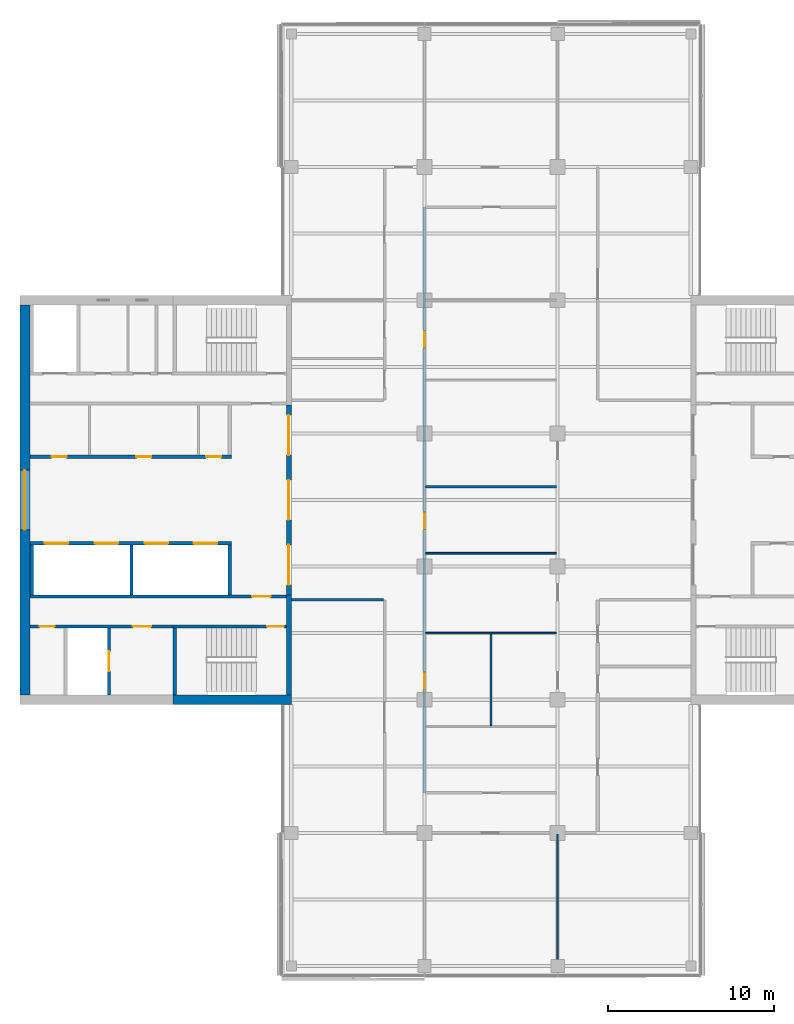
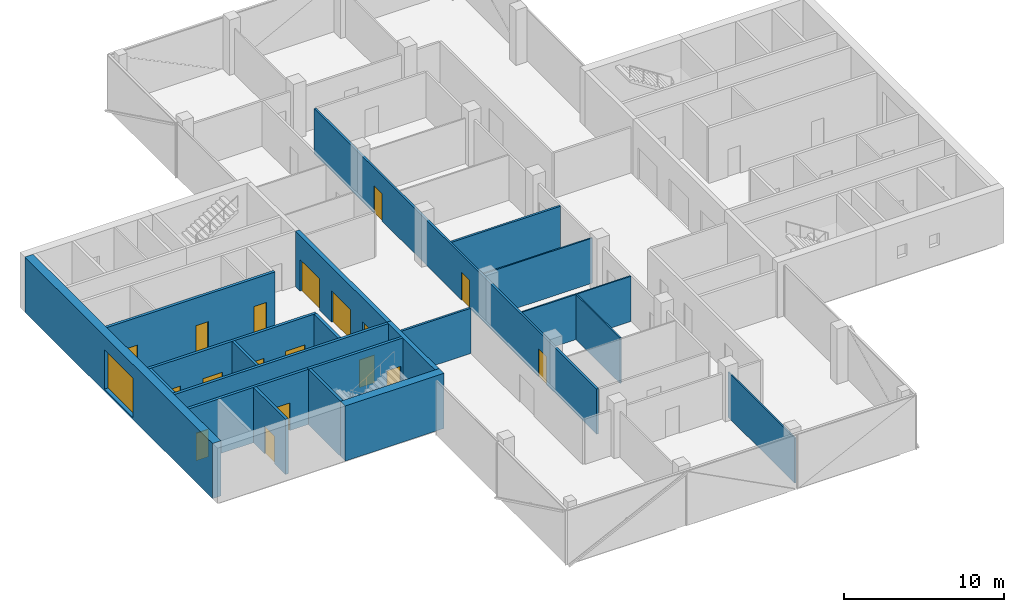
# One storey, part 9 of 15: 21 walls, 18 doors, 1 window, 19 openings.
"""IFC4 building model written with IfcOpenShell, lengths in metres."""

from ifc_helpers import new_model, si_unit, direction, frame, frame_2d, origin, place, context, subcontext, project, spatial, rectangle, extrude, material, layer, layer_set, constituent, constituent_set, type_object, element, fill, save


model = new_model("IFC4")

# Units and contexts
model_context = context("Model", 3, precision=1e-05, world=origin(), true_north=direction((0.0, 1.0)))
body_context = subcontext(model_context, "Body", "Model", "MODEL_VIEW")
ifc_project = project(units=[si_unit("LENGTHUNIT", "METRE"), si_unit("AREAUNIT", "SQUARE_METRE"), si_unit("VOLUMEUNIT", "CUBIC_METRE"), si_unit("PLANEANGLEUNIT", "RADIAN"), si_unit("MASSUNIT", "GRAM", prefix="KILO")], contexts=[model_context])

# Site, building, storey
site_placement = place(None, origin())
site = spatial("IfcSite", under=ifc_project, at=site_placement, CompositionType="ELEMENT")
building_placement = place(site_placement, origin())
building = spatial("IfcBuilding", under=site, at=building_placement, Name="Crosswind Convention Tower", CompositionType="ELEMENT")
storey_placement = place(building_placement, frame((0.0, 0.0, 183.10009765625)))
storey = spatial("IfcBuildingStorey", under=building, at=storey_placement, Name="L38", CompositionType="ELEMENT", Elevation=183.10009765625)

# Wall, openings, doors
ifc_material_1 = material(Name="Concrete C50/60", Category="concrete")
ifc_layer_1 = layer(ifc_material_1, 0.300048828125)
ifc_layer_set_1 = layer_set([ifc_layer_1], Name="Concrete C50/60")
wall_type_1 = type_object("IfcWallType", Name="Concrete inner core wall 300", PredefinedType="SHEAR", material=ifc_layer_set_1)
wall_1_placement = place(storey_placement, frame((112.85009765625, 105.699951171875, 0.0), z_axis=(0.0, 0.0, 1.0), x_axis=(0.0, -1.0, 0.0)))
wall_1 = element("IfcWall", 1, at=wall_1_placement, inside=storey, type_object=wall_type_1, Name="Wall SCR W L38", PredefinedType="SHEAR", context=body_context, shape_type="SweptSolid", body=[
    extrude(rectangle(XDim=11.39990234375, YDim=0.300048828125, at=frame_2d((5.699951171875, 0.0))), origin(), (0.0, 0.0, 1.0), 4.199951171875),
])
opening_1_placement = place(wall_1_placement, frame((0.60009765625, 0.0, 0.0)))
opening_1 = element("IfcOpeningElement", 2, at=opening_1_placement, cuts=wall_1, Name="Opening D100", PredefinedType="OPENING", context=body_context, shape_type="SweptSolid", body=[
    extrude(rectangle(XDim=2.39990234375, YDim=2.39990234375, at=frame_2d((1.199951171875, 1.199951171875))), frame((0.0, 0.159912109375, 0.0), z_axis=(0.0, -1.0, 0.0), x_axis=(1.0, 0.0, 0.0)), (0.0, 0.0, 1.0), 0.320068359375),
])
opening_2_placement = place(wall_1_placement, frame((4.5, 0.0, 0.0)))
opening_2 = element("IfcOpeningElement", 3, at=opening_2_placement, cuts=wall_1, Name="Opening D100", PredefinedType="OPENING", context=body_context, shape_type="SweptSolid", body=[
    extrude(rectangle(XDim=2.39990234375, YDim=2.39990234375, at=frame_2d((1.199951171875, 1.199951171875))), frame((0.0, 0.159912109375, 0.0), z_axis=(0.0, -1.0, 0.0), x_axis=(1.0, 0.0, 0.0)), (0.0, 0.0, 1.0), 0.320068359375),
])
opening_3_placement = place(wall_1_placement, frame((8.39990234375, 0.0, 0.0)))
opening_3 = element("IfcOpeningElement", 4, at=opening_3_placement, cuts=wall_1, Name="Opening D100", PredefinedType="OPENING", context=body_context, shape_type="SweptSolid", body=[
    extrude(rectangle(XDim=2.39990234375, YDim=2.39990234375, at=frame_2d((1.199951171875, 1.199951171875))), frame((0.0, 0.159912109375, 0.0), z_axis=(0.0, -1.0, 0.0), x_axis=(1.0, 0.0, 0.0)), (0.0, 0.0, 1.0), 0.320068359375),
])
ifc_material_2 = material(Name="Steel fire door with glazed vision panels", Category="steel")
door_type_1 = type_object("IfcDoorType", Name="Fire-rated double door 2400x2400", OperationType="DOUBLE_DOOR_SINGLE_SWING", PredefinedType="DOOR", material=ifc_material_2)
door_1_placement = place(opening_1_placement, origin())
door_1 = element("IfcDoor", 5, at=door_1_placement, inside=storey, type_object=door_type_1, Name="Lobby door 1 L38", ObjectType="D100", OperationType="DOUBLE_DOOR_SINGLE_SWING", OverallHeight=2.39990234375, OverallWidth=2.39990234375, PredefinedType="DOOR", context=body_context, shape_type="SweptSolid", body=[
    extrude(rectangle(XDim=2.39990234375, YDim=2.39990234375, at=frame_2d((1.199951171875, 1.199951171875))), frame((0.0, 0.02490234375, 0.0), z_axis=(0.0, -1.0, 0.0), x_axis=(1.0, 0.0, 0.0)), (0.0, 0.0, 1.0), 0.050048828125),
])
fill(opening_1, door_1)
door_2_placement = place(opening_2_placement, origin())
door_2 = element("IfcDoor", 6, at=door_2_placement, inside=storey, type_object=door_type_1, Name="Lobby door 2 L38", ObjectType="D100", OperationType="DOUBLE_DOOR_SINGLE_SWING", OverallHeight=2.39990234375, OverallWidth=2.39990234375, PredefinedType="DOOR", context=body_context, shape_type="SweptSolid", body=[
    extrude(rectangle(XDim=2.39990234375, YDim=2.39990234375, at=frame_2d((1.199951171875, 1.199951171875))), frame((0.0, 0.02490234375, 0.0), z_axis=(0.0, -1.0, 0.0), x_axis=(1.0, 0.0, 0.0)), (0.0, 0.0, 1.0), 0.050048828125),
])
fill(opening_2, door_2)
door_3_placement = place(opening_3_placement, origin())
door_3 = element("IfcDoor", 7, at=door_3_placement, inside=storey, type_object=door_type_1, Name="Lobby door 3 L38", ObjectType="D100", OperationType="DOUBLE_DOOR_SINGLE_SWING", OverallHeight=2.39990234375, OverallWidth=2.39990234375, PredefinedType="DOOR", context=body_context, shape_type="SweptSolid", body=[
    extrude(rectangle(XDim=2.39990234375, YDim=2.39990234375, at=frame_2d((1.199951171875, 1.199951171875))), frame((0.0, 0.02490234375, 0.0), z_axis=(0.0, -1.0, 0.0), x_axis=(1.0, 0.0, 0.0)), (0.0, 0.0, 1.0), 0.050048828125),
])
fill(opening_3, door_3)

# Walls
wall_2_placement = place(storey_placement, frame((112.85009765625, 94.300048828125, 0.0), z_axis=(0.0, 0.0, 1.0), x_axis=(0.0, -1.0, 0.0)))
element("IfcWall", 8, at=wall_2_placement, inside=storey, type_object=wall_type_1, Name="Wall EP W L38", PredefinedType="SHEAR", context=body_context, shape_type="SweptSolid", body=[
    extrude(rectangle(XDim=6.0, YDim=0.300048828125, at=frame_2d((3.0, 0.0))), origin(), (0.0, 0.0, 1.0), 4.199951171875),
])
ifc_layer_2 = layer(ifc_material_1, 0.199951171875)
ifc_layer_set_2 = layer_set([ifc_layer_2], Name="Concrete C50/60")
wall_type_2 = type_object("IfcWallType", Name="Concrete shaft and stair wall 200", PredefinedType="SHEAR", material=ifc_layer_set_2)
for number, where, z_axis, x_axis, name in (
    (9, (109.300048828125, 97.300048828125, 0.0), (0.0, 0.0, 1.0), (0.0, -1.0, 0.0), "Wall RPEND W L38"),
    (10, (103.39990234375, 97.300048828125, 0.0), (0.0, 0.0, 1.0), (0.0, -1.0, 0.0), "Wall RPSEP W L38"),
    (11, (97.39990234375, 97.300048828125, 0.0), (0.0, 0.0, 1.0), (0.0, -1.0, 0.0), "Wall RPEAST W L38"),
):
    element("IfcWall", number, at=place(storey_placement, frame(where, z_axis=z_axis, x_axis=x_axis)), inside=storey, type_object=wall_type_2, Name=name, PredefinedType="SHEAR", context=body_context, shape_type="SweptSolid", body=[
        extrude(rectangle(XDim=3.0, YDim=0.199951171875, at=frame_2d((1.5, 0.0))), origin(), (0.0, 0.0, 1.0), 4.199951171875),
    ])

# Wall, openings, doors
wall_3_placement = place(storey_placement, frame((109.39990234375, 97.39990234375, 0.0), z_axis=(0.0, 0.0, 1.0), x_axis=(-1.0, 0.0, 0.0)))
wall_3 = element("IfcWall", 12, at=wall_3_placement, inside=storey, type_object=wall_type_2, Name="Wall RPFRONT W L38", PredefinedType="SHEAR", context=body_context, shape_type="SweptSolid", body=[
    extrude(rectangle(XDim=12.099853515625, YDim=0.199951171875, at=frame_2d((6.0498046875, 0.0))), origin(), (0.0, 0.0, 1.0), 4.199951171875),
])
opening_4_placement = place(wall_3_placement, frame((0.85009765625, 0.0, 0.0)))
opening_4 = element("IfcOpeningElement", 13, at=opening_4_placement, cuts=wall_3, Name="Opening LD2", PredefinedType="OPENING", context=body_context, shape_type="SweptSolid", body=[
    extrude(rectangle(XDim=1.39990234375, YDim=2.10009765625, at=frame_2d((0.699951171875, 1.050048828125))), frame((0.0, 0.10986328125, 0.0), z_axis=(0.0, -1.0, 0.0), x_axis=(1.0, 0.0, 0.0)), (0.0, 0.0, 1.0), 0.219970703125),
])
opening_5_placement = place(wall_3_placement, frame((3.800048828125, 0.0, 0.0)))
opening_5 = element("IfcOpeningElement", 14, at=opening_5_placement, cuts=wall_3, Name="Opening LD2", PredefinedType="OPENING", context=body_context, shape_type="SweptSolid", body=[
    extrude(rectangle(XDim=1.39990234375, YDim=2.10009765625, at=frame_2d((0.699951171875, 1.050048828125))), frame((0.0, 0.10986328125, 0.0), z_axis=(0.0, -1.0, 0.0), x_axis=(1.0, 0.0, 0.0)), (0.0, 0.0, 1.0), 0.219970703125),
])
opening_6_placement = place(wall_3_placement, frame((6.800048828125, 0.0, 0.0)))
opening_6 = element("IfcOpeningElement", 15, at=opening_6_placement, cuts=wall_3, Name="Opening LD2", PredefinedType="OPENING", context=body_context, shape_type="SweptSolid", body=[
    extrude(rectangle(XDim=1.39990234375, YDim=2.10009765625, at=frame_2d((0.699951171875, 1.050048828125))), frame((0.0, 0.10986328125, 0.0), z_axis=(0.0, -1.0, 0.0), x_axis=(1.0, 0.0, 0.0)), (0.0, 0.0, 1.0), 0.219970703125),
])
opening_7_placement = place(wall_3_placement, frame((9.800048828125, 0.0, 0.0)))
opening_7 = element("IfcOpeningElement", 16, at=opening_7_placement, cuts=wall_3, Name="Opening LD2", PredefinedType="OPENING", context=body_context, shape_type="SweptSolid", body=[
    extrude(rectangle(XDim=1.39990234375, YDim=2.10009765625, at=frame_2d((0.699951171875, 1.050048828125))), frame((0.0, 0.10986328125, 0.0), z_axis=(0.0, -1.0, 0.0), x_axis=(1.0, 0.0, 0.0)), (0.0, 0.0, 1.0), 0.219970703125),
])
ifc_material_3 = material(Name="Stainless steel", Category="steel")
door_type_2 = type_object("IfcDoorType", Name="Lift landing door 1400x2100", OperationType="DOUBLE_DOOR_SLIDING", PredefinedType="DOOR", material=ifc_material_3)
door_4_placement = place(opening_4_placement, origin())
door_4 = element("IfcDoor", 17, at=door_4_placement, inside=storey, type_object=door_type_2, Name="Landing door HR1 L38", ObjectType="LD2", OperationType="DOUBLE_DOOR_SLIDING", OverallHeight=2.10009765625, OverallWidth=1.39990234375, PredefinedType="DOOR", context=body_context, shape_type="SweptSolid", body=[
    extrude(rectangle(XDim=1.39990234375, YDim=2.10009765625, at=frame_2d((0.699951171875, 1.050048828125))), frame((0.0, 0.02490234375, 0.0), z_axis=(0.0, -1.0, 0.0), x_axis=(1.0, 0.0, 0.0)), (0.0, 0.0, 1.0), 0.050048828125),
])
fill(opening_4, door_4)
door_5_placement = place(opening_5_placement, origin())
door_5 = element("IfcDoor", 18, at=door_5_placement, inside=storey, type_object=door_type_2, Name="Landing door HR2 L38", ObjectType="LD2", OperationType="DOUBLE_DOOR_SLIDING", OverallHeight=2.10009765625, OverallWidth=1.39990234375, PredefinedType="DOOR", context=body_context, shape_type="SweptSolid", body=[
    extrude(rectangle(XDim=1.39990234375, YDim=2.10009765625, at=frame_2d((0.699951171875, 1.050048828125))), frame((0.0, 0.02490234375, 0.0), z_axis=(0.0, -1.0, 0.0), x_axis=(1.0, 0.0, 0.0)), (0.0, 0.0, 1.0), 0.050048828125),
])
fill(opening_5, door_5)
door_6_placement = place(opening_6_placement, origin())
door_6 = element("IfcDoor", 19, at=door_6_placement, inside=storey, type_object=door_type_2, Name="Landing door HR3 L38", ObjectType="LD2", OperationType="DOUBLE_DOOR_SLIDING", OverallHeight=2.10009765625, OverallWidth=1.39990234375, PredefinedType="DOOR", context=body_context, shape_type="SweptSolid", body=[
    extrude(rectangle(XDim=1.39990234375, YDim=2.10009765625, at=frame_2d((0.699951171875, 1.050048828125))), frame((0.0, 0.02490234375, 0.0), z_axis=(0.0, -1.0, 0.0), x_axis=(1.0, 0.0, 0.0)), (0.0, 0.0, 1.0), 0.050048828125),
])
fill(opening_6, door_6)
door_7_placement = place(opening_7_placement, origin())
door_7 = element("IfcDoor", 20, at=door_7_placement, inside=storey, type_object=door_type_2, Name="Landing door HR4 L38", ObjectType="LD2", OperationType="DOUBLE_DOOR_SLIDING", OverallHeight=2.10009765625, OverallWidth=1.39990234375, PredefinedType="DOOR", context=body_context, shape_type="SweptSolid", body=[
    extrude(rectangle(XDim=1.39990234375, YDim=2.10009765625, at=frame_2d((0.699951171875, 1.050048828125))), frame((0.0, 0.02490234375, 0.0), z_axis=(0.0, -1.0, 0.0), x_axis=(1.0, 0.0, 0.0)), (0.0, 0.0, 1.0), 0.050048828125),
])
fill(opening_7, door_7)

wall_4_placement = place(storey_placement, frame((109.39990234375, 102.60009765625, 0.0), z_axis=(0.0, 0.0, 1.0), x_axis=(-1.0, 0.0, 0.0)))
wall_4 = element("IfcWall", 21, at=wall_4_placement, inside=storey, type_object=wall_type_2, Name="Wall RMFRONT W L38", PredefinedType="SHEAR", context=body_context, shape_type="SweptSolid", body=[
    extrude(rectangle(XDim=12.099853515625, YDim=0.199951171875, at=frame_2d((6.0498046875, 0.0))), origin(), (0.0, 0.0, 1.0), 4.199951171875),
])
opening_8_placement = place(wall_4_placement, frame((0.611328125, 0.0, 0.0)))
opening_8 = element("IfcOpeningElement", 22, at=opening_8_placement, cuts=wall_4, Name="Opening D106", PredefinedType="OPENING", context=body_context, shape_type="SweptSolid", body=[
    extrude(rectangle(XDim=0.89990234375, YDim=2.10009765625, at=frame_2d((0.449951171875, 1.050048828125))), frame((0.0, 0.10986328125, 0.0), z_axis=(0.0, -1.0, 0.0), x_axis=(1.0, 0.0, 0.0)), (0.0, 0.0, 1.0), 0.219970703125),
])
opening_9_placement = place(wall_4_placement, frame((4.8076171875, 0.0, 0.0)))
opening_9 = element("IfcOpeningElement", 23, at=opening_9_placement, cuts=wall_4, Name="Opening D106", PredefinedType="OPENING", context=body_context, shape_type="SweptSolid", body=[
    extrude(rectangle(XDim=0.89990234375, YDim=2.10009765625, at=frame_2d((0.449951171875, 1.050048828125))), frame((0.0, 0.10986328125, 0.0), z_axis=(0.0, -1.0, 0.0), x_axis=(1.0, 0.0, 0.0)), (0.0, 0.0, 1.0), 0.219970703125),
])
opening_10_placement = place(wall_4_placement, frame((9.896240234375, 0.0, 0.0)))
opening_10 = element("IfcOpeningElement", 24, at=opening_10_placement, cuts=wall_4, Name="Opening D106", PredefinedType="OPENING", context=body_context, shape_type="SweptSolid", body=[
    extrude(rectangle(XDim=0.89990234375, YDim=2.10009765625, at=frame_2d((0.449951171875, 1.050048828125))), frame((0.0, 0.10986328125, 0.0), z_axis=(0.0, -1.0, 0.0), x_axis=(1.0, 0.0, 0.0)), (0.0, 0.0, 1.0), 0.219970703125),
])
ifc_material_4 = material(Name="Timber door", Category="wood")
door_type_3 = type_object("IfcDoorType", Name="Single leaf door 900x2100", OperationType="NOTDEFINED", PredefinedType="DOOR", material=ifc_material_4)
door_8_placement = place(opening_8_placement, frame((0.89990234375, 0.0, 0.0), z_axis=(0.0, 0.0, 1.0), x_axis=(-1.0, 0.0, 0.0)))
door_8 = element("IfcDoor", 25, at=door_8_placement, inside=storey, type_object=door_type_3, Name="Door to pantry L38", ObjectType="D106", OperationType="SINGLE_SWING_LEFT", OverallHeight=2.10009765625, OverallWidth=0.89990234375, PredefinedType="DOOR", context=body_context, shape_type="SweptSolid", body=[
    extrude(rectangle(XDim=0.89990234375, YDim=2.10009765625, at=frame_2d((0.449951171875, 1.050048828125))), frame((0.0, 0.02490234375, 0.0), z_axis=(0.0, -1.0, 0.0), x_axis=(1.0, 0.0, 0.0)), (0.0, 0.0, 1.0), 0.050048828125),
])
fill(opening_8, door_8)
door_9_placement = place(opening_9_placement, frame((0.89990234375, 0.0, 0.0), z_axis=(0.0, 0.0, 1.0), x_axis=(-1.0, 0.0, 0.0)))
door_9 = element("IfcDoor", 26, at=door_9_placement, inside=storey, type_object=door_type_3, Name="Door to telecoms room L38", ObjectType="D106", OperationType="SINGLE_SWING_LEFT", OverallHeight=2.10009765625, OverallWidth=0.89990234375, PredefinedType="DOOR", context=body_context, shape_type="SweptSolid", body=[
    extrude(rectangle(XDim=0.89990234375, YDim=2.10009765625, at=frame_2d((0.449951171875, 1.050048828125))), frame((0.0, 0.02490234375, 0.0), z_axis=(0.0, -1.0, 0.0), x_axis=(1.0, 0.0, 0.0)), (0.0, 0.0, 1.0), 0.050048828125),
])
fill(opening_9, door_9)
door_10_placement = place(opening_10_placement, frame((0.89990234375, 0.0, 0.0), z_axis=(0.0, 0.0, 1.0), x_axis=(-1.0, 0.0, 0.0)))
door_10 = element("IfcDoor", 27, at=door_10_placement, inside=storey, type_object=door_type_3, Name="Door to storeroom L38", ObjectType="D106", OperationType="SINGLE_SWING_LEFT", OverallHeight=2.10009765625, OverallWidth=0.89990234375, PredefinedType="DOOR", context=body_context, shape_type="SweptSolid", body=[
    extrude(rectangle(XDim=0.89990234375, YDim=2.10009765625, at=frame_2d((0.449951171875, 1.050048828125))), frame((0.0, 0.02490234375, 0.0), z_axis=(0.0, -1.0, 0.0), x_axis=(1.0, 0.0, 0.0)), (0.0, 0.0, 1.0), 0.050048828125),
])
fill(opening_10, door_10)

# Wall, opening, door
wall_5_placement = place(storey_placement, frame((112.699951171875, 94.199951171875, 0.0), z_axis=(0.0, 0.0, 1.0), x_axis=(-1.0, 0.0, 0.0)))
wall_5 = element("IfcWall", 28, at=wall_5_placement, inside=storey, type_object=wall_type_2, Name="Wall HP W L38", PredefinedType="SHEAR", context=body_context, shape_type="SweptSolid", body=[
    extrude(rectangle(XDim=15.39990234375, YDim=0.199951171875, at=frame_2d((7.699951171875, 0.0))), origin(), (0.0, 0.0, 1.0), 4.199951171875),
])
opening_11_placement = place(wall_5_placement, frame((0.949951171875, 0.0, 0.0)))
opening_11 = element("IfcOpeningElement", 29, at=opening_11_placement, cuts=wall_5, Name="Opening D104", PredefinedType="OPENING", context=body_context, shape_type="SweptSolid", body=[
    extrude(rectangle(XDim=1.10009765625, YDim=2.10009765625, at=frame_2d((0.550048828125, 1.050048828125))), frame((0.0, 0.10986328125, 0.0), z_axis=(0.0, -1.0, 0.0), x_axis=(1.0, 0.0, 0.0)), (0.0, 0.0, 1.0), 0.219970703125),
])
ifc_material_5 = material(Name="Steel fire door", Category="steel")
door_type_4 = type_object("IfcDoorType", Name="Fire-rated single door 1100x2100", OperationType="NOTDEFINED", PredefinedType="DOOR", material=ifc_material_5)
door_11_placement = place(opening_11_placement, origin())
door_11 = element("IfcDoor", 30, at=door_11_placement, inside=storey, type_object=door_type_4, Name="Corridor door L38", ObjectType="D104", OperationType="SINGLE_SWING_LEFT", OverallHeight=2.10009765625, OverallWidth=1.10009765625, PredefinedType="DOOR", context=body_context, shape_type="SweptSolid", body=[
    extrude(rectangle(XDim=1.10009765625, YDim=2.10009765625, at=frame_2d((0.550048828125, 1.050048828125))), frame((0.0, 0.02490234375, 0.0), z_axis=(0.0, -1.0, 0.0), x_axis=(1.0, 0.0, 0.0)), (0.0, 0.0, 1.0), 0.050048828125),
])
fill(opening_11, door_11)

# Wall
wall_6_placement = place(storey_placement, frame((106.0, 92.300048828125, 0.0), z_axis=(0.0, 0.0, 1.0), x_axis=(0.0, -1.0, 0.0)))
element("IfcWall", 31, at=wall_6_placement, inside=storey, type_object=wall_type_2, Name="Wall PSE W L38", PredefinedType="SHEAR", context=body_context, shape_type="SweptSolid", body=[
    extrude(rectangle(XDim=4.0, YDim=0.199951171875, at=frame_2d((2.0, 0.0))), origin(), (0.0, 0.0, 1.0), 4.199951171875),
])

# Wall, opening, door
wall_7_placement = place(storey_placement, frame((102.050048828125, 92.300048828125, 0.0), z_axis=(0.0, 0.0, 1.0), x_axis=(0.0, -1.0, 0.0)))
wall_7 = element("IfcWall", 32, at=wall_7_placement, inside=storey, type_object=wall_type_2, Name="Wall PFLW W L38", PredefinedType="SHEAR", context=body_context, shape_type="SweptSolid", body=[
    extrude(rectangle(XDim=4.0, YDim=0.199951171875, at=frame_2d((2.0, 0.0))), origin(), (0.0, 0.0, 1.0), 4.199951171875),
])
opening_12_placement = place(wall_7_placement, frame((1.39990234375, 0.0, 0.0)))
opening_12 = element("IfcOpeningElement", 33, at=opening_12_placement, cuts=wall_7, Name="Opening LD1", PredefinedType="OPENING", context=body_context, shape_type="SweptSolid", body=[
    extrude(rectangle(XDim=1.199951171875, YDim=2.10009765625, at=frame_2d((0.60009765625, 1.050048828125))), frame((0.0, 0.10986328125, 0.0), z_axis=(0.0, -1.0, 0.0), x_axis=(1.0, 0.0, 0.0)), (0.0, 0.0, 1.0), 0.219970703125),
])
door_type_5 = type_object("IfcDoorType", Name="Lift landing door 1200x2100", OperationType="DOUBLE_DOOR_SLIDING", PredefinedType="DOOR", material=ifc_material_3)
door_12_placement = place(opening_12_placement, origin())
door_12 = element("IfcDoor", 34, at=door_12_placement, inside=storey, type_object=door_type_5, Name="Landing door FF2 L38", ObjectType="LD1", OperationType="DOUBLE_DOOR_SLIDING", OverallHeight=2.10009765625, OverallWidth=1.199951171875, PredefinedType="DOOR", context=body_context, shape_type="SweptSolid", body=[
    extrude(rectangle(XDim=1.199951171875, YDim=2.10009765625, at=frame_2d((0.60009765625, 1.050048828125))), frame((0.0, 0.02490234375, 0.0), z_axis=(0.0, -1.0, 0.0), x_axis=(1.0, 0.0, 0.0)), (0.0, 0.0, 1.0), 0.050048828125),
])
fill(opening_12, door_12)

wall_8_placement = place(storey_placement, frame((112.699951171875, 92.39990234375, 0.0), z_axis=(0.0, 0.0, 1.0), x_axis=(-1.0, 0.0, 0.0)))
wall_8 = element("IfcWall", 35, at=wall_8_placement, inside=storey, type_object=wall_type_2, Name="Wall PCW W L38", PredefinedType="SHEAR", context=body_context, shape_type="SweptSolid", body=[
    extrude(rectangle(XDim=6.800048828125, YDim=0.199951171875, at=frame_2d((3.39990234375, 0.0))), origin(), (0.0, 0.0, 1.0), 4.199951171875),
])
opening_13_placement = place(wall_8_placement, frame((0.14990234375, 0.0, 0.0)))
opening_13 = element("IfcOpeningElement", 36, at=opening_13_placement, cuts=wall_8, Name="Opening D103", PredefinedType="OPENING", context=body_context, shape_type="SweptSolid", body=[
    extrude(rectangle(XDim=1.0, YDim=2.10009765625, at=frame_2d((0.5, 1.050048828125))), frame((0.0, 0.10986328125, 0.0), z_axis=(0.0, -1.0, 0.0), x_axis=(1.0, 0.0, 0.0)), (0.0, 0.0, 1.0), 0.219970703125),
])
door_type_6 = type_object("IfcDoorType", Name="Fire-rated single door 1000x2100", OperationType="NOTDEFINED", PredefinedType="DOOR", material=ifc_material_5)
door_13_placement = place(opening_13_placement, origin())
door_13 = element("IfcDoor", 37, at=door_13_placement, inside=storey, type_object=door_type_6, Name="Stair ST3 door L38", ObjectType="D103", OperationType="SINGLE_SWING_LEFT", OverallHeight=2.10009765625, OverallWidth=1.0, PredefinedType="DOOR", context=body_context, shape_type="SweptSolid", body=[
    extrude(rectangle(XDim=1.0, YDim=2.10009765625, at=frame_2d((0.5, 1.050048828125))), frame((0.0, 0.02490234375, 0.0), z_axis=(0.0, -1.0, 0.0), x_axis=(1.0, 0.0, 0.0)), (0.0, 0.0, 1.0), 0.050048828125),
])
fill(opening_13, door_13)

# Wall, openings, doors
wall_9_placement = place(storey_placement, frame((105.89990234375, 92.39990234375, 0.0), z_axis=(0.0, 0.0, 1.0), x_axis=(-1.0, 0.0, 0.0)))
wall_9 = element("IfcWall", 38, at=wall_9_placement, inside=storey, type_object=wall_type_2, Name="Wall PCX W L38", PredefinedType="SHEAR", context=body_context, shape_type="SweptSolid", body=[
    extrude(rectangle(XDim=8.599853515625, YDim=0.199951171875, at=frame_2d((4.2998046875, 0.0))), origin(), (0.0, 0.0, 1.0), 4.199951171875),
])
opening_14_placement = place(wall_9_placement, frame((1.324951171875, 0.0, 0.0)))
opening_14 = element("IfcOpeningElement", 39, at=opening_14_placement, cuts=wall_9, Name="Opening D104", PredefinedType="OPENING", context=body_context, shape_type="SweptSolid", body=[
    extrude(rectangle(XDim=1.10009765625, YDim=2.10009765625, at=frame_2d((0.550048828125, 1.050048828125))), frame((0.0, 0.10986328125, 0.0), z_axis=(0.0, -1.0, 0.0), x_axis=(1.0, 0.0, 0.0)), (0.0, 0.0, 1.0), 0.219970703125),
])
opening_15_placement = place(wall_9_placement, frame((7.125, 0.0, 0.0)))
opening_15 = element("IfcOpeningElement", 40, at=opening_15_placement, cuts=wall_9, Name="Opening D106", PredefinedType="OPENING", context=body_context, shape_type="SweptSolid", body=[
    extrude(rectangle(XDim=0.89990234375, YDim=2.10009765625, at=frame_2d((0.449951171875, 1.050048828125))), frame((0.0, 0.10986328125, 0.0), z_axis=(0.0, -1.0, 0.0), x_axis=(1.0, 0.0, 0.0)), (0.0, 0.0, 1.0), 0.219970703125),
])
door_14_placement = place(opening_14_placement, origin())
door_14 = element("IfcDoor", 41, at=door_14_placement, inside=storey, type_object=door_type_4, Name="Fire-fighting lobby FF2 door L38", ObjectType="D104", OperationType="SINGLE_SWING_RIGHT", OverallHeight=2.10009765625, OverallWidth=1.10009765625, PredefinedType="DOOR", context=body_context, shape_type="SweptSolid", body=[
    extrude(rectangle(XDim=1.10009765625, YDim=2.10009765625, at=frame_2d((0.550048828125, 1.050048828125))), frame((0.0, 0.02490234375, 0.0), z_axis=(0.0, -1.0, 0.0), x_axis=(1.0, 0.0, 0.0)), (0.0, 0.0, 1.0), 0.050048828125),
])
fill(opening_14, door_14)
door_15_placement = place(opening_15_placement, origin())
door_15 = element("IfcDoor", 42, at=door_15_placement, inside=storey, type_object=door_type_3, Name="Door to comms room L38", ObjectType="D106", OperationType="SINGLE_SWING_RIGHT", OverallHeight=2.10009765625, OverallWidth=0.89990234375, PredefinedType="DOOR", context=body_context, shape_type="SweptSolid", body=[
    extrude(rectangle(XDim=0.89990234375, YDim=2.10009765625, at=frame_2d((0.449951171875, 1.050048828125))), frame((0.0, 0.02490234375, 0.0), z_axis=(0.0, -1.0, 0.0), x_axis=(1.0, 0.0, 0.0)), (0.0, 0.0, 1.0), 0.050048828125),
])
fill(opening_15, door_15)

# Walls
ifc_material_6 = material(Name="Plasterboard partition", Category="gypsum")
ifc_layer_3 = layer(ifc_material_6, 0.10009765625)
ifc_layer_set_3 = layer_set([ifc_layer_3], Name="PARTITION 100 METAL STUD")
wall_type_3 = type_object("IfcWallType", Name="PARTITION 100 METAL STUD", PredefinedType="PARTITIONING", material=ifc_layer_set_3)
wall_10_placement = place(storey_placement, frame((125.0, 86.449951171875, 0.0), z_axis=(0.0, 0.0, 1.0), x_axis=(0.0, 1.0, 0.0)))
element("IfcWall", 43, at=wall_10_placement, inside=storey, type_object=wall_type_3, Name="Partition wall WT40", PredefinedType="PARTITIONING", context=body_context, shape_type="SweptSolid", body=[
    extrude(rectangle(XDim=5.5, YDim=0.10009765625, at=frame_2d((2.75, 0.0))), origin(), (0.0, 0.0, 1.0), 3.439697265625),
])
wall_11_placement = place(storey_placement, frame((129.0, 71.6298828125, 0.0), z_axis=(0.0, 0.0, 1.0), x_axis=(0.0, 1.0, 0.0)))
element("IfcWall", 44, at=wall_11_placement, inside=storey, type_object=wall_type_3, Name="Partition wall WT40", PredefinedType="PARTITIONING", context=body_context, shape_type="SweptSolid", body=[
    extrude(rectangle(XDim=8.295166015625, YDim=0.10009765625, at=frame_2d((4.1474609375, 0.0))), origin(), (0.0, 0.0, 1.0), 3.439697265625),
])
for number, where, z_axis, x_axis, name in (
    (45, (121.074951171875, 92.0, 0.0), (0.0, 0.0, 1.0), (1.0, 0.0, 0.0), "Partition wall WT40"),
    (46, (121.074951171875, 96.800048828125, 0.0), (0.0, 0.0, 1.0), (1.0, 0.0, 0.0), "Partition wall WT40"),
):
    element("IfcWall", number, at=place(storey_placement, frame(where, z_axis=z_axis, x_axis=x_axis)), inside=storey, type_object=wall_type_3, Name=name, PredefinedType="PARTITIONING", context=body_context, shape_type="SweptSolid", body=[
        extrude(rectangle(XDim=7.85009765625, YDim=0.10009765625, at=frame_2d((3.925048828125, 0.0))), origin(), (0.0, 0.0, 1.0), 3.439697265625),
    ])

# Wall, openings, doors
ifc_material_7 = material(Name="Fire-board partition with mineral wool", Category="gypsum")
ifc_layer_4 = layer(ifc_material_7, 0.14990234375)
ifc_layer_set_4 = layer_set([ifc_layer_4], Name="TENANCY WALL 150 TWO-HOUR BOARD")
wall_type_4 = type_object("IfcWallType", Name="TENANCY WALL 150 TWO-HOUR BOARD", PredefinedType="PARTITIONING", material=ifc_layer_set_4)
wall_12_placement = place(storey_placement, frame((121.0, 82.39990234375, 0.0), z_axis=(0.0, 0.0, 1.0), x_axis=(0.0, 1.0, 0.0)))
wall_12 = element("IfcWall", 47, at=wall_12_placement, inside=storey, type_object=wall_type_4, Name="Tenancy wall WT41", PredefinedType="PARTITIONING", context=body_context, shape_type="SweptSolid", body=[
    extrude(rectangle(XDim=35.2001953125, YDim=0.14990234375, at=frame_2d((17.60009765625, 0.0))), origin(), (0.0, 0.0, 1.0), 3.439697265625),
])
opening_16_placement = place(wall_12_placement, frame((6.25, 0.0, 0.0)))
opening_16 = element("IfcOpeningElement", 48, at=opening_16_placement, cuts=wall_12, Name="Opening L38-62", PredefinedType="OPENING", context=body_context, shape_type="SweptSolid", body=[
    extrude(rectangle(XDim=1.0, YDim=2.10009765625, at=frame_2d((0.5, 1.050048828125))), frame((0.0, 0.0849609375, 0.0), z_axis=(0.0, -1.0, 0.0), x_axis=(1.0, 0.0, 0.0)), (0.0, 0.0, 1.0), 0.169921875),
])
opening_17_placement = place(wall_12_placement, frame((15.85009765625, 0.0, 0.0)))
opening_17 = element("IfcOpeningElement", 49, at=opening_17_placement, cuts=wall_12, Name="Opening L38-65", PredefinedType="OPENING", context=body_context, shape_type="SweptSolid", body=[
    extrude(rectangle(XDim=1.0, YDim=2.10009765625, at=frame_2d((0.5, 1.050048828125))), frame((0.0, 0.0849609375, 0.0), z_axis=(0.0, -1.0, 0.0), x_axis=(1.0, 0.0, 0.0)), (0.0, 0.0, 1.0), 0.169921875),
])
opening_18_placement = place(wall_12_placement, frame((26.75, 0.0, 0.0)))
opening_18 = element("IfcOpeningElement", 50, at=opening_18_placement, cuts=wall_12, Name="Opening L38-67", PredefinedType="OPENING", context=body_context, shape_type="SweptSolid", body=[
    extrude(rectangle(XDim=1.0, YDim=2.10009765625, at=frame_2d((0.5, 1.050048828125))), frame((0.0, 0.0849609375, 0.0), z_axis=(0.0, -1.0, 0.0), x_axis=(1.0, 0.0, 0.0)), (0.0, 0.0, 1.0), 0.169921875),
])
ifc_material_8 = material(Name="Timber fire door", Category="wood")
door_type_7 = type_object("IfcDoorType", Name="TENANCY ENTRANCE DOOR 1000X2100 FD30S", OperationType="NOTDEFINED", PredefinedType="DOOR", material=ifc_material_8)
door_16_placement = place(opening_16_placement, frame((1.0, 0.0, 0.0), z_axis=(0.0, 0.0, 1.0), x_axis=(-1.0, 0.0, 0.0)))
door_16 = element("IfcDoor", 51, at=door_16_placement, inside=storey, type_object=door_type_7, Name="Door L38-62", ObjectType="D41", OperationType="SINGLE_SWING_RIGHT", OverallHeight=2.10009765625, OverallWidth=1.0, PredefinedType="DOOR", context=body_context, shape_type="SweptSolid", body=[
    extrude(rectangle(XDim=1.0, YDim=2.10009765625, at=frame_2d((0.5, 1.050048828125))), frame((0.0, 0.02490234375, 0.0), z_axis=(0.0, -1.0, 0.0), x_axis=(1.0, 0.0, 0.0)), (0.0, 0.0, 1.0), 0.050048828125),
])
fill(opening_16, door_16)
door_17_placement = place(opening_17_placement, frame((1.0, 0.0, 0.0), z_axis=(0.0, 0.0, 1.0), x_axis=(-1.0, 0.0, 0.0)))
door_17 = element("IfcDoor", 52, at=door_17_placement, inside=storey, type_object=door_type_7, Name="Door L38-65", ObjectType="D41", OperationType="SINGLE_SWING_RIGHT", OverallHeight=2.10009765625, OverallWidth=1.0, PredefinedType="DOOR", context=body_context, shape_type="SweptSolid", body=[
    extrude(rectangle(XDim=1.0, YDim=2.10009765625, at=frame_2d((0.5, 1.050048828125))), frame((0.0, 0.02490234375, 0.0), z_axis=(0.0, -1.0, 0.0), x_axis=(1.0, 0.0, 0.0)), (0.0, 0.0, 1.0), 0.050048828125),
])
fill(opening_17, door_17)
door_18_placement = place(opening_18_placement, frame((1.0, 0.0, 0.0), z_axis=(0.0, 0.0, 1.0), x_axis=(-1.0, 0.0, 0.0)))
door_18 = element("IfcDoor", 53, at=door_18_placement, inside=storey, type_object=door_type_7, Name="Door L38-67", ObjectType="D41", OperationType="SINGLE_SWING_LEFT", OverallHeight=2.10009765625, OverallWidth=1.0, PredefinedType="DOOR", context=body_context, shape_type="SweptSolid", body=[
    extrude(rectangle(XDim=1.0, YDim=2.10009765625, at=frame_2d((0.5, 1.050048828125))), frame((0.0, 0.02490234375, 0.0), z_axis=(0.0, -1.0, 0.0), x_axis=(1.0, 0.0, 0.0)), (0.0, 0.0, 1.0), 0.050048828125),
])
fill(opening_18, door_18)

# Walls
wall_13_placement = place(storey_placement, frame((113.0, 94.0, 0.0), z_axis=(0.0, 0.0, 1.0), x_axis=(1.0, 0.0, 0.0)))
element("IfcWall", 54, at=wall_13_placement, inside=storey, type_object=wall_type_4, Name="Tenancy wall WT41", PredefinedType="PARTITIONING", context=body_context, shape_type="SweptSolid", body=[
    extrude(rectangle(XDim=5.52490234375, YDim=0.14990234375, at=frame_2d((2.762451171875, 0.0))), origin(), (0.0, 0.0, 1.0), 3.439697265625),
])
wall_14_placement = place(storey_placement, frame((121.074951171875, 100.800048828125, 0.0), z_axis=(0.0, 0.0, 1.0), x_axis=(1.0, 0.0, 0.0)))
element("IfcWall", 55, at=wall_14_placement, inside=storey, type_object=wall_type_4, Name="Tenancy wall WT41", PredefinedType="PARTITIONING", context=body_context, shape_type="SweptSolid", body=[
    extrude(rectangle(XDim=7.85009765625, YDim=0.14990234375, at=frame_2d((3.925048828125, 0.0))), origin(), (0.0, 0.0, 1.0), 3.439697265625),
])
ifc_material_9 = material(Name="Concrete C60/75", Category="concrete")
ifc_constituent_1 = constituent(ifc_material_9, Name="Structure")
ifc_material_10 = material(Name="Terracotta rainscreen", Category="ceramic")
ifc_constituent_2 = constituent(ifc_material_10, Name="Facing")
ifc_constituent_set = constituent_set(constituents=[ifc_constituent_1, ifc_constituent_2], Name="Concrete C60/75, Terracotta rainscreen")
wall_type_5 = type_object("IfcWallType", Name="Terracotta rainscreen on concrete core wall 600", PredefinedType="SHEAR", material=ifc_constituent_set)
wall_15_placement = place(storey_placement, frame((113.0, 88.0, 0.0), z_axis=(0.0, 0.0, 1.0), x_axis=(-1.0, 0.0, 0.0)))
element("IfcWall", 56, at=wall_15_placement, inside=storey, type_object=wall_type_5, Name="Wall N1 W L38", PredefinedType="SHEAR", context=body_context, shape_type="SweptSolid", body=[
    extrude(rectangle(XDim=7.10009765625, YDim=0.60009765625, at=frame_2d((3.550048828125, 0.0))), origin(), (0.0, 0.0, 1.0), 4.199951171875),
])

# Wall, opening, window
wall_16_placement = place(storey_placement, frame((97.0, 111.699951171875, 0.0), z_axis=(0.0, 0.0, 1.0), x_axis=(0.0, -1.0, 0.0)))
wall_16 = element("IfcWall", 57, at=wall_16_placement, inside=storey, type_object=wall_type_5, Name="Wall O W L38", PredefinedType="SHEAR", context=body_context, shape_type="SweptSolid", body=[
    extrude(rectangle(XDim=23.39990234375, YDim=0.60009765625, at=frame_2d((11.699951171875, 0.0))), origin(), (0.0, 0.0, 1.0), 4.199951171875),
])
opening_19_placement = place(wall_16_placement, frame((9.89990234375, 0.0, 0.14990234375)))
opening_19 = element("IfcOpeningElement", 58, at=opening_19_placement, cuts=wall_16, Name="Opening W1", PredefinedType="OPENING", context=body_context, shape_type="SweptSolid", body=[
    extrude(rectangle(XDim=3.60009765625, YDim=3.0, at=frame_2d((1.800048828125, 1.5))), frame((0.0, 0.31005859375, 0.0), z_axis=(0.0, -1.0, 0.0), x_axis=(1.0, 0.0, 0.0)), (0.0, 0.0, 1.0), 0.6201171875),
])
ifc_material_11 = material(Name="Clear laminated glass in aluminium frame", Category="aluminium")
window_type = type_object("IfcWindowType", Name="Lobby end window 3600x3000", PartitioningType="SINGLE_PANEL", PredefinedType="WINDOW", material=ifc_material_11)
window_placement = place(opening_19_placement, origin())
window = element("IfcWindow", 59, at=window_placement, inside=storey, type_object=window_type, Name="Lobby end window L38", ObjectType="W1", OverallHeight=3.0, OverallWidth=3.60009765625, PartitioningType="SINGLE_PANEL", PredefinedType="WINDOW", context=body_context, shape_type="SweptSolid", body=[
    extrude(rectangle(XDim=3.60009765625, YDim=3.0, at=frame_2d((1.800048828125, 1.5))), frame((0.0, 0.030029296875, 0.0), z_axis=(0.0, -1.0, 0.0), x_axis=(1.0, 0.0, 0.0)), (0.0, 0.0, 1.0), 0.06005859375),
])
fill(opening_19, window)

save(model, "model.ifc")
